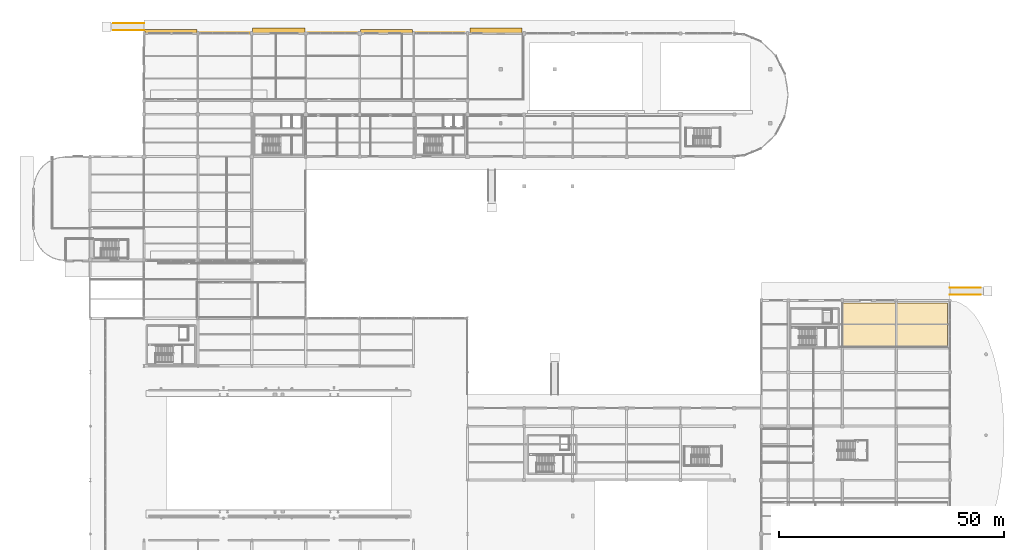
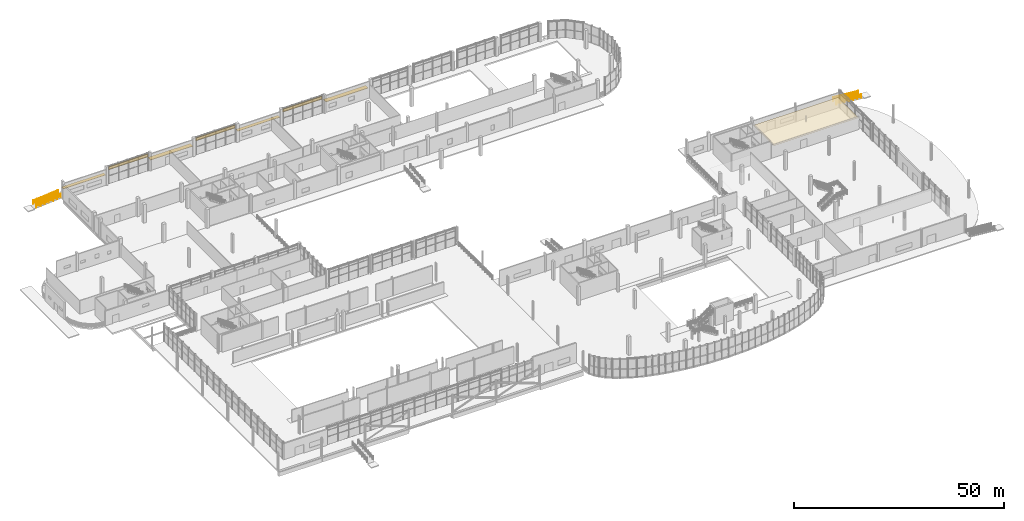
# One storey, part 83 of 85: 4 coverings, 4 railings, 4 shading devices.
"""IFC4 building model written with IfcOpenShell, lengths in metres."""

from ifc_helpers import new_model, si_unit, direction, frame, origin, origin_2d, place, context, subcontext, project, spatial, rectangle, circle, extrude, material, layer, layer_set, type_object, element, save


model = new_model("IFC4")

# Units and contexts
model_context = context("Model", 3, precision=1e-05, world=origin(), true_north=direction((0.0, 1.0)))
body_context = subcontext(model_context, "Body", "Model", "MODEL_VIEW")
ifc_project = project(units=[si_unit("LENGTHUNIT", "METRE"), si_unit("AREAUNIT", "SQUARE_METRE"), si_unit("VOLUMEUNIT", "CUBIC_METRE"), si_unit("PLANEANGLEUNIT", "RADIAN"), si_unit("MASSUNIT", "GRAM", prefix="KILO"), si_unit("THERMODYNAMICTEMPERATUREUNIT", "KELVIN"), si_unit("POWERUNIT", "WATT")], contexts=[model_context])

# Site, building, storey
site_placement = place(None, origin())
site = spatial("IfcSite", under=ifc_project, at=site_placement, CompositionType="ELEMENT")
building_placement = place(site_placement, origin())
building = spatial("IfcBuilding", under=site, at=building_placement, Name="Solmara Park Aquatics Centre", CompositionType="ELEMENT")
storey_placement = place(building_placement, origin())
storey = spatial("IfcBuildingStorey", under=building, at=storey_placement, Name="L00", CompositionType="ELEMENT", Elevation=0.0)

# Coverings
ifc_material_1 = material(Name="Perforated Anodised Bronze Solar Screen", Category="aluminium")
ifc_layer_1 = layer(ifc_material_1, 0.1201171875, Name="Perforated Anodised Bronze Solar Screen")
ifc_layer_set_1 = layer_set([ifc_layer_1], Name="Perforated Anodised Bronze Solar Screen")
covering_type_1 = type_object("IfcCoveringType", Name="ARC-COV-BRONZE", PredefinedType="CLADDING", material=ifc_layer_set_1)
for number, where, z_axis, x_axis, name in (
    (1, (42.60009765625, 136.050048828125, 4.080078125), (0.0, 0.0, 1.0), (1.0, 0.0, 0.0), "Perforated Bronze Solar Screen 001"),
    (2, (66.60009765625, 136.050048828125, 4.080078125), (0.0, 0.0, 1.0), (1.0, 0.0, 0.0), "Perforated Bronze Solar Screen 002"),
    (3, (90.60009765625, 136.050048828125, 4.080078125), (0.0, 0.0, 1.0), (1.0, 0.0, 0.0), "Perforated Bronze Solar Screen 003"),
):
    element("IfcCovering", number, at=place(storey_placement, frame(where, z_axis=z_axis, x_axis=x_axis)), inside=storey, type_object=covering_type_1, Name=name, PredefinedType="CLADDING", context=body_context, shape_type="SweptSolid", body=[
        extrude(rectangle(XDim=10.800048828125, YDim=0.1201171875, at=origin_2d()), origin(), (0.0, 0.0, 1.0), 0.89990234375),
    ])
ifc_material_2 = material(Name="Moisture-Resistant Perforated Acoustic Gypsum Ceiling", Category="gypsum")
ifc_layer_2 = layer(ifc_material_2, 0.0400390625, Name="Moisture-Resistant Perforated Acoustic Gypsum Ceiling")
ifc_layer_set_2 = layer_set([ifc_layer_2], Name="Moisture-Resistant Perforated Acoustic Gypsum Ceiling")
covering_type_2 = type_object("IfcCoveringType", Name="ARC-COV-CEIL", PredefinedType="CEILING", material=ifc_layer_set_2)
covering_placement = place(storey_placement, frame((191.699951171875, 71.10009765625, 3.3798828125), z_axis=(0.0, 0.0, 1.0), x_axis=(1.0, 0.0, 0.0)))
element("IfcCovering", 4, at=covering_placement, inside=storey, type_object=covering_type_2, Name="Acoustic Suspended Ceiling L00-RET-01", PredefinedType="CEILING", context=body_context, shape_type="SweptSolid", body=[
    extrude(rectangle(XDim=23.39990234375, YDim=9.800048828125, at=origin_2d()), origin(), (0.0, 0.0, 1.0), 0.0400390625),
])

# Railings
ifc_material_3 = material(Name="Brushed Marine-Grade Stainless Steel 316L Ramp Handrail", Category="steel")
ifc_layer_3 = layer(ifc_material_3, 0.044921875, Name="Brushed Marine-Grade Stainless Steel 316L Ramp Handrail")
ifc_layer_set_3 = layer_set([ifc_layer_3], Name="Brushed Marine-Grade Stainless Steel 316L Ramp Handrail")
railing_type = type_object("IfcRailingType", Name="ARC-RL-RMP090", PredefinedType="GUARDRAIL", material=ifc_layer_set_3)
for number, where, name in (
    (5, (210.85009765625, 79.3798828125, -0.548095703125), "Main Park Entrance North Accessible Ramp Handrail 1"),
    (6, (210.85009765625, 77.820068359375, -0.548095703125), "Main Park Entrance North Accessible Ramp Handrail 2"),
):
    element("IfcRailing", number, at=place(storey_placement, frame(where)), inside=storey, type_object=railing_type, Name=name, PredefinedType="GUARDRAIL", context=body_context, shape_type="SweptSolid", body=[
        extrude(circle(Radius=0.02392578125, at=origin_2d()), frame((0.0, 0.0, 1.1357421875), z_axis=(-0.996814261787, 0.0, 0.079757930633), x_axis=(0.0, -1.0, 0.0)), (0.0, 0.0, 1.0), 6.8720703125),
        extrude(circle(Radius=0.01416015625, at=origin_2d()), frame((0.0, 0.0, 0.406005859375), z_axis=(-0.996814261787, 0.0, 0.079757930633), x_axis=(0.0, -1.0, 0.0)), (0.0, 0.0, 1.0), 6.8720703125),
        extrude(circle(Radius=0.01416015625, at=origin_2d()), frame((0.0, 0.0, 0.788818359375), z_axis=(-0.996814261787, 0.0, 0.079757930633), x_axis=(0.0, -1.0, 0.0)), (0.0, 0.0, 1.0), 6.8720703125),
        extrude(circle(Radius=0.02099609375, at=origin_2d()), origin(), (0.0, 0.0, 1.0), 1.11181640625),
        extrude(circle(Radius=0.02099609375, at=origin_2d()), frame((-1.1416015625, 0.0, 0.09130859375)), (0.0, 0.0, 1.0), 1.11181640625),
        extrude(circle(Radius=0.02099609375, at=origin_2d()), frame((-2.283447265625, 0.0, 0.1826171875)), (0.0, 0.0, 1.0), 1.11181640625),
        extrude(circle(Radius=0.02099609375, at=origin_2d()), frame((-3.425048828125, 0.0, 0.27392578125)), (0.0, 0.0, 1.0), 1.11181640625),
        extrude(circle(Radius=0.02099609375, at=origin_2d()), frame((-4.566650390625, 0.0, 0.365478515625)), (0.0, 0.0, 1.0), 1.11181640625),
        extrude(circle(Radius=0.02099609375, at=origin_2d()), frame((-5.70849609375, 0.0, 0.456787109375)), (0.0, 0.0, 1.0), 1.11181640625),
        extrude(circle(Radius=0.02099609375, at=origin_2d()), frame((-6.85009765625, 0.0, 0.548095703125)), (0.0, 0.0, 1.0), 1.11181640625),
    ])
for number, where, name in (
    (7, (17.75, 136.719970703125, -0.548095703125), "Wellness Boulevard Accessible Ramp Handrail 1"),
    (8, (17.75, 138.280029296875, -0.548095703125), "Wellness Boulevard Accessible Ramp Handrail 2"),
):
    element("IfcRailing", number, at=place(storey_placement, frame(where)), inside=storey, type_object=railing_type, Name=name, PredefinedType="GUARDRAIL", context=body_context, shape_type="SweptSolid", body=[
        extrude(circle(Radius=0.02392578125, at=origin_2d()), frame((0.0, 0.0, 1.1357421875), z_axis=(0.996814261787, 0.0, 0.079757930633), x_axis=(0.0, 1.0, 0.0)), (0.0, 0.0, 1.0), 6.8720703125),
        extrude(circle(Radius=0.01416015625, at=origin_2d()), frame((0.0, 0.0, 0.406005859375), z_axis=(0.996814261787, 0.0, 0.079757930633), x_axis=(0.0, 1.0, 0.0)), (0.0, 0.0, 1.0), 6.8720703125),
        extrude(circle(Radius=0.01416015625, at=origin_2d()), frame((0.0, 0.0, 0.788818359375), z_axis=(0.996814261787, 0.0, 0.079757930633), x_axis=(0.0, 1.0, 0.0)), (0.0, 0.0, 1.0), 6.8720703125),
        extrude(circle(Radius=0.02099609375, at=origin_2d()), origin(), (0.0, 0.0, 1.0), 1.11181640625),
        extrude(circle(Radius=0.02099609375, at=origin_2d()), frame((1.1416015625, 0.0, 0.09130859375)), (0.0, 0.0, 1.0), 1.11181640625),
        extrude(circle(Radius=0.02099609375, at=origin_2d()), frame((2.283447265625, 0.0, 0.1826171875)), (0.0, 0.0, 1.0), 1.11181640625),
        extrude(circle(Radius=0.02099609375, at=origin_2d()), frame((3.425048828125, 0.0, 0.27392578125)), (0.0, 0.0, 1.0), 1.11181640625),
        extrude(circle(Radius=0.02099609375, at=origin_2d()), frame((4.566650390625, 0.0, 0.365478515625)), (0.0, 0.0, 1.0), 1.11181640625),
        extrude(circle(Radius=0.02099609375, at=origin_2d()), frame((5.70849609375, 0.0, 0.456787109375)), (0.0, 0.0, 1.0), 1.11181640625),
        extrude(circle(Radius=0.02099609375, at=origin_2d()), frame((6.85009765625, 0.0, 0.548095703125)), (0.0, 0.0, 1.0), 1.11181640625),
    ])

# Shading devices
ifc_material_4 = material(Name="Anodised Bronze Aluminium", Category="aluminium")
shading_device_type_1 = type_object("IfcShadingDeviceType", Name="ARC-SHD-EYE1200", PredefinedType="USERDEFINED", material=ifc_material_4)
for number, where, z_axis, x_axis, name in (
    (9, (54.60009765625, 136.6201171875, 2.7802734375), (0.0, 0.0, 1.0), (1.0, 0.0, 0.0), "Streamline Sun-Shading Eyebrow 002"),
    (10, (102.89990234375, 136.6201171875, 2.7802734375), (0.0, 0.0, 1.0), (1.0, 0.0, 0.0), "Streamline Sun-Shading Eyebrow 004"),
):
    element("IfcShadingDevice", number, at=place(storey_placement, frame(where, z_axis=z_axis, x_axis=x_axis)), inside=storey, type_object=shading_device_type_1, Name=name, ObjectType="SUNSHADE", PredefinedType="USERDEFINED", context=body_context, shape_type="SweptSolid", body=[
        extrude(rectangle(XDim=11.60009765625, YDim=1.199951171875, at=origin_2d()), origin(), (0.0, 0.0, 1.0), 0.139892578125),
    ])
shading_device_type_2 = type_object("IfcShadingDeviceType", Name="ARC-SHD-EYE900", PredefinedType="USERDEFINED", material=ifc_material_4)
for number, where, z_axis, x_axis, name in (
    (11, (30.60009765625, 136.469970703125, 2.7900390625), (0.0, 0.0, 1.0), (1.0, 0.0, 0.0), "Streamline Sun-Shading Eyebrow 001"),
    (12, (78.60009765625, 136.469970703125, 2.7900390625), (0.0, 0.0, 1.0), (1.0, 0.0, 0.0), "Streamline Sun-Shading Eyebrow 003"),
):
    element("IfcShadingDevice", number, at=place(storey_placement, frame(where, z_axis=z_axis, x_axis=x_axis)), inside=storey, type_object=shading_device_type_2, Name=name, ObjectType="SUNSHADE", PredefinedType="USERDEFINED", context=body_context, shape_type="SweptSolid", body=[
        extrude(rectangle(XDim=11.60009765625, YDim=0.89990234375, at=origin_2d()), origin(), (0.0, 0.0, 1.0), 0.1201171875),
    ])

save(model, "model.ifc")
